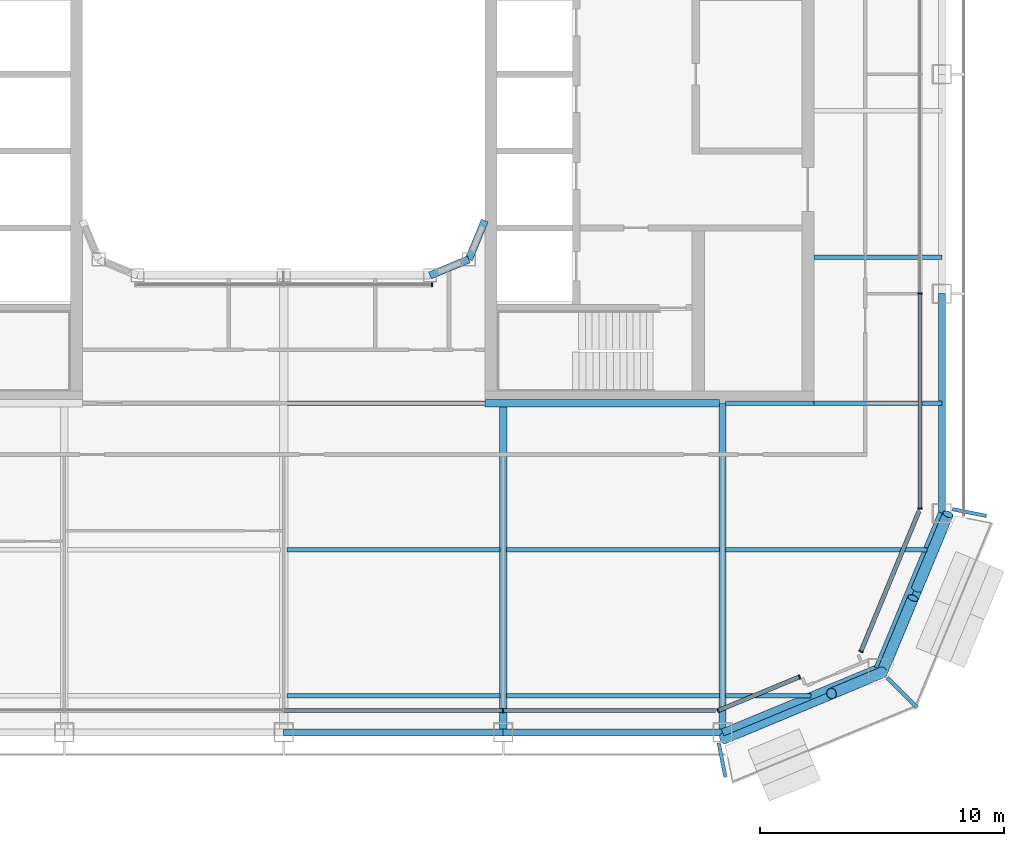
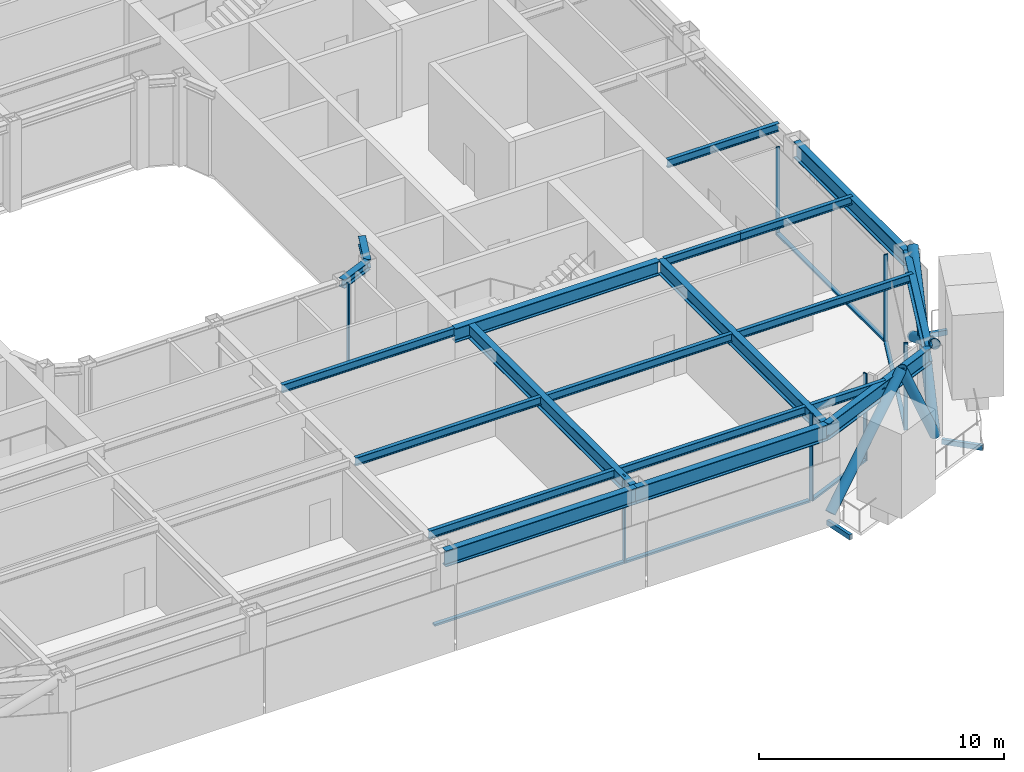
# One storey, part 4 of 23: 23 beams, 17 members, 5 elements without a shape of their own.
"""IFC4 building model written with IfcOpenShell, lengths in metres."""

from ifc_helpers import new_model, si_unit, direction, frame, origin, origin_2d, place, context, subcontext, project, spatial, rectangle, hollow_rectangle, hollow_circle, i_section, extrude, material, layer, layer_set, material_profile, profile_set, type_object, element, aggregate, save


model = new_model("IFC4")

# Units and contexts
model_context = context("Model", 3, precision=1e-05, world=origin(), true_north=direction((0.0, 1.0)))
body_context = subcontext(model_context, "Body", "Model", "MODEL_VIEW")
ifc_project = project(units=[si_unit("LENGTHUNIT", "METRE"), si_unit("AREAUNIT", "SQUARE_METRE"), si_unit("VOLUMEUNIT", "CUBIC_METRE"), si_unit("PLANEANGLEUNIT", "RADIAN"), si_unit("MASSUNIT", "GRAM", prefix="KILO")], contexts=[model_context])

# Site, building, storey
site_placement = place(None, origin())
site = spatial("IfcSite", under=ifc_project, at=site_placement, CompositionType="ELEMENT")
building_placement = place(site_placement, origin())
building = spatial("IfcBuilding", under=site, at=building_placement, Name="Siwar Civic Tower", CompositionType="ELEMENT")
storey_placement = place(building_placement, frame((0.0, 0.0, 237.699951171875)))
storey = spatial("IfcBuildingStorey", under=building, at=storey_placement, Name="L51", CompositionType="ELEMENT", Elevation=237.699951171875)

# Beams
ifc_material_1 = material(Name="Steel S355", Category="steel")
ifc_material_profile_1 = material_profile(ifc_material_1, hollow_rectangle(XDim=0.14990234375, YDim=0.25, WallThickness=0.010009765625, at=origin_2d()), Name="RHS250x150x10")
ifc_profile_set_1 = profile_set([ifc_material_profile_1], Name="Steel S355")
beam_type_1 = type_object("IfcBeamType", Name="ENV-BALCONY ARM", PredefinedType="BEAM", material=ifc_profile_set_1)
beam_1_placement = place(storey_placement, frame((17.83984375, -27.425048828125, -0.27490234375), z_axis=(0.195122471741, -0.980778884878, 0.0), x_axis=(0.980778884878, 0.195122471741, 0.0)))
element("IfcBeam", 1, at=beam_1_placement, inside=storey, type_object=beam_type_1, Name="Balcony cantilever beam SE 1", PredefinedType="BEAM", context=body_context, shape_type="SweptSolid", body=[
    extrude(hollow_rectangle(XDim=0.14990234375, YDim=0.25, WallThickness=0.010009765625, at=origin_2d()), origin(), (0.0, 0.0, 1.0), 1.417724609375),
])
beam_2_placement = place(storey_placement, frame((24.753662109375, -24.753662109375, -0.27490234375), z_axis=(0.707106781187, -0.707106781187, 0.0), x_axis=(0.707106781187, 0.707106781187, 0.0)))
element("IfcBeam", 2, at=beam_2_placement, inside=storey, type_object=beam_type_1, Name="Balcony cantilever beam SE 2", PredefinedType="BEAM", context=body_context, shape_type="SweptSolid", body=[
    extrude(hollow_rectangle(XDim=0.14990234375, YDim=0.25, WallThickness=0.010009765625, at=origin_2d()), origin(), (0.0, 0.0, 1.0), 1.721923828125),
])
beam_3_placement = place(storey_placement, frame((27.425048828125, -17.83984375, -0.27490234375), z_axis=(0.980778884878, -0.195122471741, 0.0), x_axis=(0.195122471741, 0.980778884878, 0.0)))
element("IfcBeam", 3, at=beam_3_placement, inside=storey, type_object=beam_type_1, Name="Balcony cantilever beam SE 3", PredefinedType="BEAM", context=body_context, shape_type="SweptSolid", body=[
    extrude(hollow_rectangle(XDim=0.14990234375, YDim=0.25, WallThickness=0.010009765625, at=origin_2d()), origin(), (0.0, 0.0, 1.0), 1.417724609375),
])

# Curtain wall, member
ifc_material_2 = material(Name="Aluminium and glass", Category="aluminium")
ifc_layer_1 = layer(ifc_material_2, 0.179931640625)
ifc_layer_set_1 = layer_set([ifc_layer_1], Name="Aluminium and glass")
curtain_wall_type_1 = type_object("IfcCurtainWallType", Name="ENV-CW-C", PredefinedType="NOTDEFINED", material=ifc_layer_set_1)
curtain_wall_1_placement = place(storey_placement, origin())
curtain_wall_1 = element("IfcCurtainWall", 4, at=curtain_wall_1_placement, inside=storey, type_object=curtain_wall_type_1, Name="Curtain wall C S", PredefinedType="NOTDEFINED")
ifc_material_3 = material(Name="Aluminium 6063-T6", Category="aluminium")
ifc_material_profile_2 = material_profile(ifc_material_3, rectangle(XDim=0.179931640625, YDim=0.06005859375, at=origin_2d()), Name="AL 180x60")
ifc_profile_set_2 = profile_set([ifc_material_profile_2], Name="Aluminium 6063-T6")
member_type_1 = type_object("IfcMemberType", Name="ENV-MULLION-C", PredefinedType="MULLION", material=ifc_profile_set_2)
member_1_placement = place(storey_placement, frame((9.0, -26.10009765625, 0.0), z_axis=(0.0, 0.0, 1.0), x_axis=(0.0, 1.0, 0.0)))
member_1 = element("IfcMember", 5, at=member_1_placement, type_object=member_type_1, Name="Mullion C S 4", PredefinedType="MULLION", context=body_context, shape_type="SweptSolid", body=[
    extrude(rectangle(XDim=0.179931640625, YDim=0.06005859375, at=origin_2d()), origin(), (0.0, 0.0, 1.0), 4.35009765625),
])

# Curtain wall, members
ifc_material_4 = material(Name="Aluminium clad insulated panel", Category="aluminium")
ifc_layer_2 = layer(ifc_material_4, 0.179931640625)
ifc_layer_set_2 = layer_set([ifc_layer_2], Name="Aluminium clad insulated panel")
curtain_wall_type_2 = type_object("IfcCurtainWallType", Name="ENV-CW-CX", PredefinedType="NOTDEFINED", material=ifc_layer_set_2)
curtain_wall_2_placement = place(storey_placement, origin())
curtain_wall_2 = element("IfcCurtainWall", 6, at=curtain_wall_2_placement, inside=storey, type_object=curtain_wall_type_2, Name="Curtain wall C SE1", PredefinedType="NOTDEFINED")
member_2_placement = place(storey_placement, frame((17.821044921875, -26.10009765625, 0.0), z_axis=(0.0, 0.0, 1.0), x_axis=(-0.382683432365, 0.923879532511, 0.0)))
member_2 = element("IfcMember", 7, at=member_2_placement, type_object=member_type_1, Name="Mullion C SE1 1", PredefinedType="MULLION", context=body_context, shape_type="SweptSolid", body=[
    extrude(rectangle(XDim=0.179931640625, YDim=0.06005859375, at=origin_2d()), origin(), (0.0, 0.0, 1.0), 4.35009765625),
])
member_3_placement = place(storey_placement, frame((21.153564453125, -24.719482421875, 0.0), z_axis=(0.0, 0.0, 1.0), x_axis=(-0.382683432365, 0.923879532511, 0.0)))
member_3 = element("IfcMember", 8, at=member_3_placement, type_object=member_type_1, Name="Mullion C SE1 2", PredefinedType="MULLION", context=body_context, shape_type="SweptSolid", body=[
    extrude(rectangle(XDim=0.179931640625, YDim=0.06005859375, at=origin_2d()), origin(), (0.0, 0.0, 1.0), 4.35009765625),
])

# Curtain wall, member
curtain_wall_3_placement = place(storey_placement, origin())
curtain_wall_3 = element("IfcCurtainWall", 9, at=curtain_wall_3_placement, inside=storey, type_object=curtain_wall_type_2, Name="Curtain wall C SE2", PredefinedType="NOTDEFINED")
member_4_placement = place(storey_placement, frame((23.675048828125, -23.675048828125, 0.0), z_axis=(0.0, 0.0, 1.0), x_axis=(-0.923879532511, 0.382683432365, 0.0)))
member_4 = element("IfcMember", 10, at=member_4_placement, type_object=member_type_1, Name="Mullion C SE2 1", PredefinedType="MULLION", context=body_context, shape_type="SweptSolid", body=[
    extrude(rectangle(XDim=0.179931640625, YDim=0.06005859375, at=origin_2d()), origin(), (0.0, 0.0, 1.0), 4.35009765625),
])

# Curtain wall, members
curtain_wall_4_placement = place(storey_placement, origin())
curtain_wall_4 = element("IfcCurtainWall", 11, at=curtain_wall_4_placement, inside=storey, type_object=curtain_wall_type_1, Name="Curtain wall C E", PredefinedType="NOTDEFINED")
member_5_placement = place(storey_placement, frame((26.10009765625, -17.821044921875, 0.0), z_axis=(0.0, 0.0, 1.0), x_axis=(-1.0, 0.0, 0.0)))
member_5 = element("IfcMember", 12, at=member_5_placement, type_object=member_type_1, Name="Mullion C E 1", PredefinedType="MULLION", context=body_context, shape_type="SweptSolid", body=[
    extrude(rectangle(XDim=0.179931640625, YDim=0.06005859375, at=origin_2d()), origin(), (0.0, 0.0, 1.0), 4.35009765625),
])
member_6_placement = place(storey_placement, frame((26.10009765625, -9.0, 0.0), z_axis=(0.0, 0.0, 1.0), x_axis=(-1.0, 0.0, 0.0)))
member_6 = element("IfcMember", 13, at=member_6_placement, type_object=member_type_1, Name="Mullion C E 2", PredefinedType="MULLION", context=body_context, shape_type="SweptSolid", body=[
    extrude(rectangle(XDim=0.179931640625, YDim=0.06005859375, at=origin_2d()), origin(), (0.0, 0.0, 1.0), 4.35009765625),
])

# Curtain wall, member
ifc_material_5 = material(Name="Aluminium and glass", Category="aluminium")
ifc_layer_3 = layer(ifc_material_5, 0.179931640625)
ifc_layer_set_3 = layer_set([ifc_layer_3], Name="Aluminium and glass")
curtain_wall_type_3 = type_object("IfcCurtainWallType", Name="ENV-CW-W", PredefinedType="NOTDEFINED", material=ifc_layer_set_3)
curtain_wall_5_placement = place(storey_placement, origin())
curtain_wall_5 = element("IfcCurtainWall", 14, at=curtain_wall_5_placement, inside=storey, type_object=curtain_wall_type_3, Name="Curtain wall W WS", PredefinedType="NOTDEFINED")
ifc_material_6 = material(Name="Aluminium 6063-T6", Category="aluminium")
ifc_material_profile_3 = material_profile(ifc_material_6, rectangle(XDim=0.179931640625, YDim=0.06005859375, at=origin_2d()), Name="AL 180x60")
ifc_profile_set_3 = profile_set([ifc_material_profile_3], Name="Aluminium 6063-T6")
member_type_2 = type_object("IfcMemberType", Name="ENV-MULLION-W", PredefinedType="MULLION", material=ifc_profile_set_3)
member_7_placement = place(storey_placement, frame((6.07666015625, -8.635009765625, 0.0), z_axis=(0.0, 0.0, 1.0), x_axis=(0.0, 1.0, 0.0)))
member_7 = element("IfcMember", 15, at=member_7_placement, type_object=member_type_2, Name="Mullion W WS 3", PredefinedType="MULLION", context=body_context, shape_type="SweptSolid", body=[
    extrude(rectangle(XDim=0.179931640625, YDim=0.06005859375, at=origin_2d()), origin(), (0.0, 0.0, 1.0), 4.35009765625),
])
aggregate(curtain_wall_5, [member_7])

# Member
ifc_material_7 = material(Name="Aluminium 6063-T6", Category="aluminium")
ifc_material_profile_4 = material_profile(ifc_material_7, rectangle(XDim=0.179931640625, YDim=0.10009765625, at=origin_2d()), Name="AL 180x100")
ifc_profile_set_4 = profile_set([ifc_material_profile_4], Name="Aluminium 6063-T6")
member_type_3 = type_object("IfcMemberType", Name="ENV-TRANSOM-C", PredefinedType="USERDEFINED", material=ifc_profile_set_4)
member_8_placement = place(storey_placement, frame((0.030029296875, -26.10009765625, 0.050048828125), z_axis=(1.0, 0.0, 0.0), x_axis=(0.0, 1.0, 0.0)))
member_8 = element("IfcMember", 16, at=member_8_placement, type_object=member_type_3, Name="Transom C S 3", ObjectType="TRANSOM", PredefinedType="USERDEFINED", context=body_context, shape_type="SweptSolid", body=[
    extrude(rectangle(XDim=0.179931640625, YDim=0.10009765625, at=origin_2d()), origin(), (0.0, 0.0, 1.0), 8.93994140625),
])

member_9_placement = place(storey_placement, frame((9.030029296875, -26.10009765625, 0.050048828125), z_axis=(1.0, 0.0, 0.0), x_axis=(0.0, 1.0, 0.0)))
member_9 = element("IfcMember", 17, at=member_9_placement, type_object=member_type_3, Name="Transom C S 4", ObjectType="TRANSOM", PredefinedType="USERDEFINED", context=body_context, shape_type="SweptSolid", body=[
    extrude(rectangle(XDim=0.179931640625, YDim=0.10009765625, at=origin_2d()), origin(), (0.0, 0.0, 1.0), 8.68603515625),
])

aggregate(curtain_wall_1, [member_1, member_8, member_9])

member_10_placement = place(storey_placement, frame((17.8486328125, -26.088623046875, 0.050048828125), z_axis=(0.92386500214, 0.3827185099, 0.0), x_axis=(-0.3827185099, 0.92386500214, 0.0)))
member_10 = element("IfcMember", 18, at=member_10_placement, type_object=member_type_3, Name="Transom C SE1 1", ObjectType="TRANSOM", PredefinedType="USERDEFINED", context=body_context, shape_type="SweptSolid", body=[
    extrude(rectangle(XDim=0.179931640625, YDim=0.10009765625, at=origin_2d()), origin(), (0.0, 0.0, 1.0), 3.54736328125),
])

aggregate(curtain_wall_2, [member_2, member_3, member_10])

member_11_placement = place(storey_placement, frame((23.6865234375, -23.6474609375, 0.050048828125), z_axis=(0.382691366456, 0.923876246063, 0.0), x_axis=(-0.923876246063, 0.382691366456, 0.0)))
member_11 = element("IfcMember", 19, at=member_11_placement, type_object=member_type_3, Name="Transom C SE2 1", ObjectType="TRANSOM", PredefinedType="USERDEFINED", context=body_context, shape_type="SweptSolid", body=[
    extrude(rectangle(XDim=0.179931640625, YDim=0.10009765625, at=origin_2d()), origin(), (0.0, 0.0, 1.0), 6.20166015625),
])

aggregate(curtain_wall_3, [member_4, member_11])

member_12_placement = place(storey_placement, frame((26.10009765625, -17.791015625, 0.050048828125), z_axis=(0.0, 1.0, 0.0), x_axis=(-1.0, 0.0, 0.0)))
member_12 = element("IfcMember", 20, at=member_12_placement, type_object=member_type_3, Name="Transom C E 1", ObjectType="TRANSOM", PredefinedType="USERDEFINED", context=body_context, shape_type="SweptSolid", body=[
    extrude(rectangle(XDim=0.179931640625, YDim=0.10009765625, at=origin_2d()), origin(), (0.0, 0.0, 1.0), 8.760986328125),
])

aggregate(curtain_wall_4, [member_5, member_6, member_12])

# Members
ifc_material_8 = material(Name="Steel S355", Category="steel")
ifc_material_profile_5 = material_profile(ifc_material_8, hollow_circle(Radius=0.228515625, WallThickness=0.02001953125, at=origin_2d()), Name="CHS457x20")
ifc_profile_set_5 = profile_set([ifc_material_profile_5], Name="Steel S355")
member_type_4 = type_object("IfcMemberType", Name="STR-BR-CHS457x20", PredefinedType="BRACE", material=ifc_profile_set_5)
member_13_placement = place(storey_placement, frame((27.2451171875, -18.048828125, 0.0), z_axis=(-0.323905527954, -0.777554562952, 0.538975055633), x_axis=(0.923108759191, -0.384538969033, 0.0)))
element("IfcMember", 21, at=member_13_placement, inside=storey, type_object=member_type_4, Name="L51/brc/CSE1-11-0-1", PredefinedType="BRACE", context=body_context, shape_type="SweptSolid", body=[
    extrude(hollow_circle(Radius=0.228515625, WallThickness=0.02001953125, at=origin_2d()), origin(), (0.0, 0.0, 1.0), 8.34912109375),
])
for number, where, z_axis, x_axis, name in (
    (22, (24.540771484375, -24.540771484375, 0.0), (0.323884455881, 0.777546448489, 0.538999424564), (-0.92311621485, 0.38452107079, 0.0), "L51/brc/CSE1-11-0-2"),
    (23, (25.972900390625, -21.10302734375, 2.383056640625), (0.323895306243, 0.777572496853, 0.538955325357), (-0.92311621485, 0.38452107079, 0.0), "L51/brc/CSE1-11-0-3"),
):
    element("IfcMember", number, at=place(storey_placement, frame(where, z_axis=z_axis, x_axis=x_axis)), inside=storey, type_object=member_type_4, Name=name, PredefinedType="BRACE", context=body_context, shape_type="SweptSolid", body=[
        extrude(hollow_circle(Radius=0.228515625, WallThickness=0.02001953125, at=origin_2d()), origin(), (0.0, 0.0, 1.0), 3.927978515625),
    ])
member_14_placement = place(storey_placement, frame((18.048828125, -27.2451171875, 0.0), z_axis=(0.672864582402, 0.280310719993, 0.684601456328), x_axis=(-0.384557494138, 0.923101041979, 0.0)))
element("IfcMember", 24, at=member_14_placement, inside=storey, type_object=member_type_4, Name="L51/brc/CSE1-11-0-0", PredefinedType="BRACE", context=body_context, shape_type="SweptSolid", body=[
    extrude(hollow_circle(Radius=0.228515625, WallThickness=0.02001953125, at=origin_2d()), origin(), (0.0, 0.0, 1.0), 6.5732421875),
])
member_15_placement = place(storey_placement, frame((24.540771484375, -24.540771484375, 0.0), z_axis=(-0.411570178484, -0.171426870802, 0.895110504993), x_axis=(0.384499368559, -0.923125254544, 0.0)))
element("IfcMember", 25, at=member_15_placement, inside=storey, type_object=member_type_4, Name="L51/brc/CSE1-11-0-6", PredefinedType="BRACE", context=body_context, shape_type="SweptSolid", body=[
    extrude(hollow_circle(Radius=0.228515625, WallThickness=0.02001953125, at=origin_2d()), origin(), (0.0, 0.0, 1.0), 5.02734375),
])

# Beams
ifc_material_9 = material(Name="Steel S355", Category="steel")
ifc_material_profile_6 = material_profile(ifc_material_9, i_section(OverallWidth=0.179931640625, OverallDepth=0.39990234375, WebThickness=0.008544921875, FlangeThickness=0.013427734375, FilletRadius=0.02099609375, at=origin_2d()), Name="IPE400")
ifc_profile_set_6 = profile_set([ifc_material_profile_6], Name="Steel S355")
beam_type_2 = type_object("IfcBeamType", Name="STR-FB-IPE400", PredefinedType="JOIST", material=ifc_profile_set_6)
for number, where, z_axis, x_axis, name in (
    (26, (0.1298828125, -25.5, 4.150146484375), (1.0, 0.0, 0.0), (0.0, 1.0, 0.0), "L51/bm/F004"),
    (27, (9.1298828125, -25.5, 4.150146484375), (1.0, 0.0, 0.0), (0.0, 1.0, 0.0), "L51/bm/F005"),
):
    element("IfcBeam", number, at=place(storey_placement, frame(where, z_axis=z_axis, x_axis=x_axis)), inside=storey, type_object=beam_type_2, Name=name, PredefinedType="JOIST", context=body_context, shape_type="SweptSolid", body=[
        extrude(i_section(OverallWidth=0.179931640625, OverallDepth=0.39990234375, WebThickness=0.008544921875, FlangeThickness=0.013427734375, FilletRadius=0.02099609375, at=origin_2d()), origin(), (0.0, 0.0, 1.0), 8.740234375),
    ])
beam_4_placement = place(storey_placement, frame((18.1298828125, -25.5, 4.150146484375), z_axis=(1.0, 0.0, 0.0), x_axis=(0.0, 1.0, 0.0)))
element("IfcBeam", 28, at=beam_4_placement, inside=storey, type_object=beam_type_2, Name="L51/bm/F006", PredefinedType="JOIST", context=body_context, shape_type="SweptSolid", body=[
    extrude(i_section(OverallWidth=0.179931640625, OverallDepth=0.39990234375, WebThickness=0.008544921875, FlangeThickness=0.013427734375, FilletRadius=0.02099609375, at=origin_2d()), origin(), (0.0, 0.0, 1.0), 3.491455078125),
])
for number, where, z_axis, x_axis, name in (
    (29, (0.1298828125, -19.5, 4.150146484375), (1.0, 0.0, 0.0), (0.0, 1.0, 0.0), "L51/bm/F010"),
    (30, (9.1298828125, -19.5, 4.150146484375), (1.0, 0.0, 0.0), (0.0, 1.0, 0.0), "L51/bm/F011"),
):
    element("IfcBeam", number, at=place(storey_placement, frame(where, z_axis=z_axis, x_axis=x_axis)), inside=storey, type_object=beam_type_2, Name=name, PredefinedType="JOIST", context=body_context, shape_type="SweptSolid", body=[
        extrude(i_section(OverallWidth=0.179931640625, OverallDepth=0.39990234375, WebThickness=0.008544921875, FlangeThickness=0.013427734375, FilletRadius=0.02099609375, at=origin_2d()), origin(), (0.0, 0.0, 1.0), 8.740234375),
    ])
beam_5_placement = place(storey_placement, frame((18.1298828125, -19.5, 4.150146484375), z_axis=(1.0, 0.0, 0.0), x_axis=(0.0, 1.0, 0.0)))
element("IfcBeam", 31, at=beam_5_placement, inside=storey, type_object=beam_type_2, Name="L51/bm/F012", PredefinedType="JOIST", context=body_context, shape_type="SweptSolid", body=[
    extrude(i_section(OverallWidth=0.179931640625, OverallDepth=0.39990234375, WebThickness=0.008544921875, FlangeThickness=0.013427734375, FilletRadius=0.02099609375, at=origin_2d()), origin(), (0.0, 0.0, 1.0), 8.248779296875),
])
beam_6_placement = place(storey_placement, frame((0.1298828125, -13.5, 4.150146484375), z_axis=(1.0, 0.0, 0.0), x_axis=(0.0, 1.0, 0.0)))
element("IfcBeam", 32, at=beam_6_placement, inside=storey, type_object=beam_type_2, Name="L51/bm/F017", PredefinedType="JOIST", context=body_context, shape_type="SweptSolid", body=[
    extrude(i_section(OverallWidth=0.179931640625, OverallDepth=0.39990234375, WebThickness=0.008544921875, FlangeThickness=0.013427734375, FilletRadius=0.02099609375, at=origin_2d()), origin(), (0.0, 0.0, 1.0), 8.1201171875),
])
beam_7_placement = place(storey_placement, frame((18.1298828125, -13.5, 4.150146484375), z_axis=(1.0, 0.0, 0.0), x_axis=(0.0, 1.0, 0.0)))
element("IfcBeam", 33, at=beam_7_placement, inside=storey, type_object=beam_type_2, Name="L51/bm/F019", PredefinedType="JOIST", context=body_context, shape_type="SweptSolid", body=[
    extrude(i_section(OverallWidth=0.179931640625, OverallDepth=0.39990234375, WebThickness=0.008544921875, FlangeThickness=0.013427734375, FilletRadius=0.02099609375, at=origin_2d()), origin(), (0.0, 0.0, 1.0), 3.6201171875),
])
for number, where, z_axis, x_axis, name in (
    (34, (21.75, -13.5, 4.150146484375), (1.0, 0.0, 0.0), (0.0, 1.0, 0.0), "L51/bm/F020"),
    (35, (21.75, -7.5, 4.150146484375), (1.0, 0.0, 0.0), (0.0, 1.0, 0.0), "L51/bm/F022"),
):
    element("IfcBeam", number, at=place(storey_placement, frame(where, z_axis=z_axis, x_axis=x_axis)), inside=storey, type_object=beam_type_2, Name=name, PredefinedType="JOIST", context=body_context, shape_type="SweptSolid", body=[
        extrude(i_section(OverallWidth=0.179931640625, OverallDepth=0.39990234375, WebThickness=0.008544921875, FlangeThickness=0.013427734375, FilletRadius=0.02099609375, at=origin_2d()), origin(), (0.0, 0.0, 1.0), 5.25),
    ])
ifc_material_10 = material(Name="Steel S355", Category="steel")
ifc_material_profile_7 = material_profile(ifc_material_10, i_section(OverallWidth=0.300048828125, OverallDepth=0.699951171875, WebThickness=0.01708984375, FlangeThickness=0.031982421875, FilletRadius=0.027099609375, at=origin_2d()), Name="HEB700")
ifc_profile_set_7 = profile_set([ifc_material_profile_7], Name="Steel S355")
beam_type_3 = type_object("IfcBeamType", Name="STR-PG-HEB700", PredefinedType="BEAM", material=ifc_profile_set_7)
for number, where, z_axis, x_axis, name in (
    (36, (9.0, -27.0, 4.0), (0.0, 1.0, 0.0), (-1.0, 0.0, 0.0), "L51/bm/G07"),
    (37, (18.0, -27.0, 4.0), (0.0, 1.0, 0.0), (-1.0, 0.0, 0.0), "L51/bm/G09"),
):
    element("IfcBeam", number, at=place(storey_placement, frame(where, z_axis=z_axis, x_axis=x_axis)), inside=storey, type_object=beam_type_3, Name=name, PredefinedType="BEAM", context=body_context, shape_type="SweptSolid", body=[
        extrude(i_section(OverallWidth=0.300048828125, OverallDepth=0.699951171875, WebThickness=0.01708984375, FlangeThickness=0.031982421875, FilletRadius=0.027099609375, at=origin_2d()), origin(), (0.0, 0.0, 1.0), 13.5),
    ])
beam_8_placement = place(storey_placement, frame((8.25, -13.5, 4.0), z_axis=(1.0, 0.0, 0.0), x_axis=(0.0, 1.0, 0.0)))
element("IfcBeam", 38, at=beam_8_placement, inside=storey, type_object=beam_type_3, Name="L51/bm/F018", PredefinedType="BEAM", context=body_context, shape_type="SweptSolid", body=[
    extrude(i_section(OverallWidth=0.300048828125, OverallDepth=0.699951171875, WebThickness=0.01708984375, FlangeThickness=0.031982421875, FilletRadius=0.027099609375, at=origin_2d()), origin(), (0.0, 0.0, 1.0), 9.6201171875),
])
ifc_material_11 = material(Name="Steel S355", Category="steel")
ifc_material_profile_8 = material_profile(ifc_material_11, i_section(OverallWidth=0.306884765625, OverallDepth=0.431884765625, WebThickness=0.02099609375, FlangeThickness=0.0400390625, FilletRadius=0.027099609375, at=origin_2d()), Name="HEM400")
ifc_profile_set_8 = profile_set([ifc_material_profile_8], Name="Steel S355")
beam_type_4 = type_object("IfcBeamType", Name="STR-RB-HEM400", PredefinedType="BEAM", material=ifc_profile_set_8)
for number, where, z_axis, x_axis, name in (
    (39, (6.0, -8.25, 4.134033203125), (0.923901072997, 0.382631424892, 0.0), (-0.382631424892, 0.923901072997, 0.0), "L51/bm/RS3"),
    (40, (7.591064453125, -7.591064453125, 4.134033203125), (0.382631424892, 0.923901072997, 0.0), (-0.923901072997, 0.382631424892, 0.0), "L51/bm/RSEE"),
):
    element("IfcBeam", number, at=place(storey_placement, frame(where, z_axis=z_axis, x_axis=x_axis)), inside=storey, type_object=beam_type_4, Name=name, PredefinedType="BEAM", context=body_context, shape_type="SweptSolid", body=[
        extrude(i_section(OverallWidth=0.306884765625, OverallDepth=0.431884765625, WebThickness=0.02099609375, FlangeThickness=0.0400390625, FilletRadius=0.027099609375, at=origin_2d()), origin(), (0.0, 0.0, 1.0), 1.72216796875),
    ])
ifc_material_12 = material(Name="Steel S355", Category="steel")
ifc_material_profile_9 = material_profile(ifc_material_12, i_section(OverallWidth=0.300048828125, OverallDepth=0.800048828125, WebThickness=0.017578125, FlangeThickness=0.032958984375, FilletRadius=0.030029296875, at=origin_2d()), Name="HEB800")
ifc_profile_set_9 = profile_set([ifc_material_profile_9], Name="Steel S355")
beam_type_5 = type_object("IfcBeamType", Name="STR-SB-HEB800", PredefinedType="BEAM", material=ifc_profile_set_9)
for number, where, z_axis, x_axis, name in (
    (41, (0.0, -27.0, 3.949951171875), (1.0, 0.0, 0.0), (0.0, 1.0, 0.0), "L51/bm/SS-2"),
    (42, (9.0, -27.0, 3.949951171875), (1.0, 0.0, 0.0), (0.0, 1.0, 0.0), "L51/bm/SS-3"),
):
    element("IfcBeam", number, at=place(storey_placement, frame(where, z_axis=z_axis, x_axis=x_axis)), inside=storey, type_object=beam_type_5, Name=name, PredefinedType="BEAM", context=body_context, shape_type="SweptSolid", body=[
        extrude(i_section(OverallWidth=0.300048828125, OverallDepth=0.800048828125, WebThickness=0.017578125, FlangeThickness=0.032958984375, FilletRadius=0.030029296875, at=origin_2d()), origin(), (0.0, 0.0, 1.0), 9.0),
    ])
for number, where, z_axis, x_axis, name in (
    (43, (18.0, -27.0, 3.949951171875), (0.923883353507, 0.382674207535, 0.0), (-0.382674207535, 0.923883353507, 0.0), "L51/bm/SSE1-0"),
    (44, (24.364013671875, -24.364013671875, 3.949951171875), (0.382674207535, 0.923883353507, 0.0), (-0.923883353507, 0.382674207535, 0.0), "L51/bm/SSE2-0"),
):
    element("IfcBeam", number, at=place(storey_placement, frame(where, z_axis=z_axis, x_axis=x_axis)), inside=storey, type_object=beam_type_5, Name=name, PredefinedType="BEAM", context=body_context, shape_type="SweptSolid", body=[
        extrude(i_section(OverallWidth=0.300048828125, OverallDepth=0.800048828125, WebThickness=0.017578125, FlangeThickness=0.032958984375, FilletRadius=0.030029296875, at=origin_2d()), origin(), (0.0, 0.0, 1.0), 6.888427734375),
    ])
beam_9_placement = place(storey_placement, frame((27.0, -18.0, 3.949951171875), z_axis=(0.0, 1.0, 0.0), x_axis=(-1.0, 0.0, 0.0)))
element("IfcBeam", 45, at=beam_9_placement, inside=storey, type_object=beam_type_5, Name="L51/bm/SE-0", PredefinedType="BEAM", context=body_context, shape_type="SweptSolid", body=[
    extrude(i_section(OverallWidth=0.300048828125, OverallDepth=0.800048828125, WebThickness=0.017578125, FlangeThickness=0.032958984375, FilletRadius=0.030029296875, at=origin_2d()), origin(), (0.0, 0.0, 1.0), 9.0),
])

save(model, "model.ifc")
